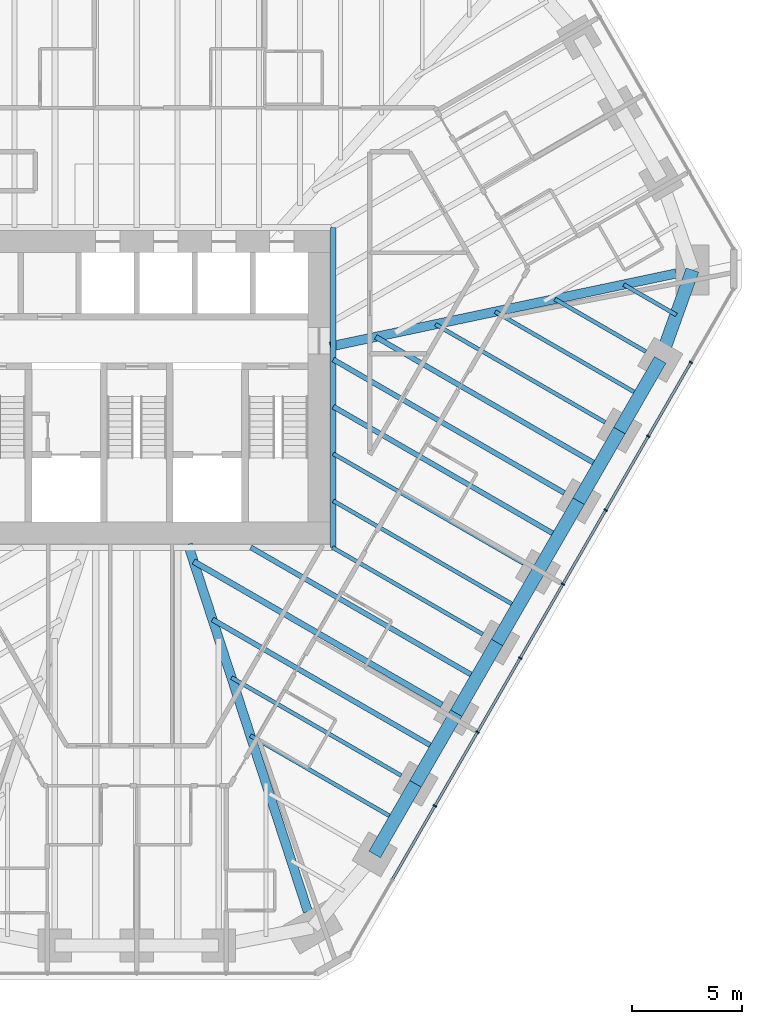
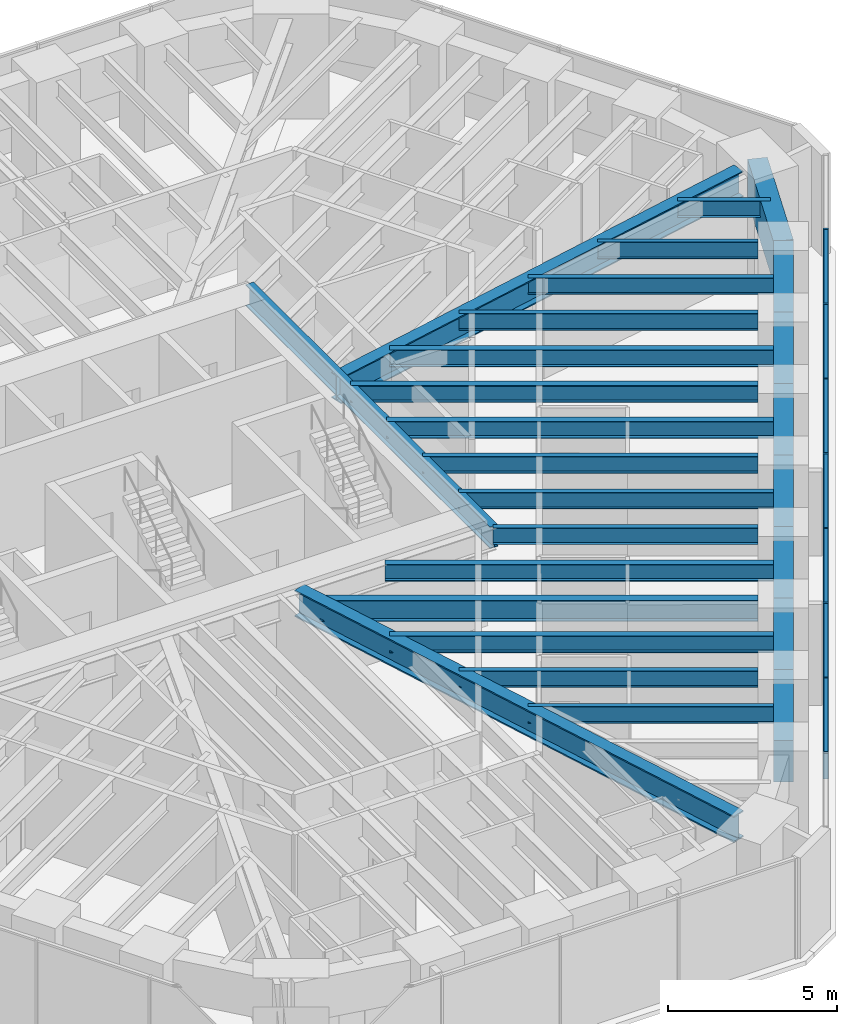
# One storey, part 5 of 17: 26 beams, 14 members, 1 element without a shape of its own.
"""IFC4 building model written with IfcOpenShell, lengths in metres."""

from ifc_helpers import new_model, si_unit, direction, frame, origin, origin_2d, place, context, subcontext, project, spatial, rectangle, i_section, extrude, material, material_profile, profile_set, type_object, element, aggregate, save


model = new_model("IFC4")

# Units and contexts
model_context = context("Model", 3, precision=1e-05, world=origin(), true_north=direction((0.0, 1.0)))
body_context = subcontext(model_context, "Body", "Model", "MODEL_VIEW")
ifc_project = project(units=[si_unit("LENGTHUNIT", "METRE"), si_unit("AREAUNIT", "SQUARE_METRE"), si_unit("VOLUMEUNIT", "CUBIC_METRE"), si_unit("PLANEANGLEUNIT", "RADIAN"), si_unit("MASSUNIT", "GRAM", prefix="KILO")], contexts=[model_context])

# Site, building, storey
site_placement = place(None, origin())
site = spatial("IfcSite", under=ifc_project, at=site_placement, CompositionType="ELEMENT")
building_placement = place(site_placement, origin())
building = spatial("IfcBuilding", under=site, at=building_placement, Name="Sandreach Pilgrim Tower", CompositionType="ELEMENT")
storey_placement = place(building_placement, frame((0.0, 0.0, 198.39990234375)))
storey = spatial("IfcBuildingStorey", under=building, at=storey_placement, Name="L49", CompositionType="ELEMENT", Elevation=198.39990234375)

# Curtain wall, members
ifc_material_1 = material(Name="Aluminium framed curtain wall", Category="aluminium")
curtain_wall_type = type_object("IfcCurtainWallType", Name="Upper hotel tower curtain wall", PredefinedType="NOTDEFINED", material=ifc_material_1)
curtain_wall_placement = place(storey_placement, origin())
curtain_wall = element("IfcCurtainWall", 1, at=curtain_wall_placement, inside=storey, type_object=curtain_wall_type, Name="CW-3 L49 SE", PredefinedType="NOTDEFINED")
ifc_material_2 = material(Name="Aluminium extrusion", Category="aluminium")
ifc_material_profile_1 = material_profile(ifc_material_2, rectangle(XDim=0.06494140625, YDim=0.159912109375, at=origin_2d()), Name="CW-3M 65X160")
ifc_profile_set_1 = profile_set([ifc_material_profile_1], Name="Aluminium extrusion")
member_type_1 = type_object("IfcMemberType", Name="CW-3 mullion", PredefinedType="MULLION", material=ifc_profile_set_1)
member_1_placement = place(storey_placement, frame((25.087890625, 1.13330078125, 0.0), z_axis=(0.0, 0.0, 1.0), x_axis=(-0.5, -0.866025403784, 0.0)))
member_1 = element("IfcMember", 2, at=member_1_placement, type_object=member_type_1, Name="CW-3 mullion 2", PredefinedType="MULLION", context=body_context, shape_type="SweptSolid", body=[
    extrude(rectangle(XDim=0.06494140625, YDim=0.159912109375, at=origin_2d()), origin(), (0.0, 0.0, 1.0), 3.64013671875),
])
member_2_placement = place(storey_placement, frame((23.15576171875, -2.21337890625, 0.0), z_axis=(0.0, 0.0, 1.0), x_axis=(-0.5, -0.866025403784, 0.0)))
member_2 = element("IfcMember", 3, at=member_2_placement, type_object=member_type_1, Name="CW-3 mullion 3", PredefinedType="MULLION", context=body_context, shape_type="SweptSolid", body=[
    extrude(rectangle(XDim=0.06494140625, YDim=0.159912109375, at=origin_2d()), origin(), (0.0, 0.0, 1.0), 3.64013671875),
])
member_3_placement = place(storey_placement, frame((21.223388671875, -5.56005859375, 0.0), z_axis=(0.0, 0.0, 1.0), x_axis=(-0.5, -0.866025403784, 0.0)))
member_3 = element("IfcMember", 4, at=member_3_placement, type_object=member_type_1, Name="CW-3 mullion 4", PredefinedType="MULLION", context=body_context, shape_type="SweptSolid", body=[
    extrude(rectangle(XDim=0.06494140625, YDim=0.159912109375, at=origin_2d()), origin(), (0.0, 0.0, 1.0), 3.64013671875),
])
member_4_placement = place(storey_placement, frame((19.291259765625, -8.90673828125, 0.0), z_axis=(0.0, 0.0, 1.0), x_axis=(-0.5, -0.866025403784, 0.0)))
member_4 = element("IfcMember", 5, at=member_4_placement, type_object=member_type_1, Name="CW-3 mullion 5", PredefinedType="MULLION", context=body_context, shape_type="SweptSolid", body=[
    extrude(rectangle(XDim=0.06494140625, YDim=0.159912109375, at=origin_2d()), origin(), (0.0, 0.0, 1.0), 3.64013671875),
])
member_5_placement = place(storey_placement, frame((17.359130859375, -12.25341796875, 0.0), z_axis=(0.0, 0.0, 1.0), x_axis=(-0.5, -0.866025403784, 0.0)))
member_5 = element("IfcMember", 6, at=member_5_placement, type_object=member_type_1, Name="CW-3 mullion 6", PredefinedType="MULLION", context=body_context, shape_type="SweptSolid", body=[
    extrude(rectangle(XDim=0.06494140625, YDim=0.159912109375, at=origin_2d()), origin(), (0.0, 0.0, 1.0), 3.64013671875),
])
member_6_placement = place(storey_placement, frame((15.4267578125, -15.60009765625, 0.0), z_axis=(0.0, 0.0, 1.0), x_axis=(-0.5, -0.866025403784, 0.0)))
member_6 = element("IfcMember", 7, at=member_6_placement, type_object=member_type_1, Name="CW-3 mullion 7", PredefinedType="MULLION", context=body_context, shape_type="SweptSolid", body=[
    extrude(rectangle(XDim=0.06494140625, YDim=0.159912109375, at=origin_2d()), origin(), (0.0, 0.0, 1.0), 3.64013671875),
])
member_7_placement = place(storey_placement, frame((13.49462890625, -18.94677734375, 0.0), z_axis=(0.0, 0.0, 1.0), x_axis=(-0.5, -0.866025403784, 0.0)))
member_7 = element("IfcMember", 8, at=member_7_placement, type_object=member_type_1, Name="CW-3 mullion 8", PredefinedType="MULLION", context=body_context, shape_type="SweptSolid", body=[
    extrude(rectangle(XDim=0.06494140625, YDim=0.159912109375, at=origin_2d()), origin(), (0.0, 0.0, 1.0), 3.64013671875),
])
ifc_material_3 = material(Name="Aluminium extrusion", Category="aluminium")
ifc_material_profile_2 = material_profile(ifc_material_3, rectangle(XDim=0.1201171875, YDim=0.070068359375, at=origin_2d()), Name="CW-3T 120X70")
ifc_profile_set_2 = profile_set([ifc_material_profile_2], Name="Aluminium extrusion")
member_type_2 = type_object("IfcMemberType", Name="CW-3 transom", PredefinedType="USERDEFINED", material=ifc_profile_set_2)
member_8_placement = place(storey_placement, frame((25.07177734375, 1.105224609375, 3.60498046875), z_axis=(-0.500022797313, -0.86601224135, 0.0), x_axis=(0.86601224135, -0.500022797313, 0.0)))
member_8 = element("IfcMember", 9, at=member_8_placement, type_object=member_type_2, Name="CW-3 head transom 2", ObjectType="TRANSOM", PredefinedType="USERDEFINED", context=body_context, shape_type="SweptSolid", body=[
    extrude(rectangle(XDim=0.1201171875, YDim=0.070068359375, at=origin_2d()), origin(), (0.0, 0.0, 1.0), 3.799560546875),
])
member_9_placement = place(storey_placement, frame((23.139404296875, -2.241455078125, 3.60498046875), z_axis=(-0.499974606132, -0.866040064445, 0.0), x_axis=(0.866040064445, -0.499974606132, 0.0)))
member_9 = element("IfcMember", 10, at=member_9_placement, type_object=member_type_2, Name="CW-3 head transom 3", ObjectType="TRANSOM", PredefinedType="USERDEFINED", context=body_context, shape_type="SweptSolid", body=[
    extrude(rectangle(XDim=0.1201171875, YDim=0.070068359375, at=origin_2d()), origin(), (0.0, 0.0, 1.0), 3.799560546875),
])
member_10_placement = place(storey_placement, frame((21.207275390625, -5.588134765625, 3.60498046875), z_axis=(-0.499974606132, -0.866040064445, 0.0), x_axis=(0.866040064445, -0.499974606132, 0.0)))
member_10 = element("IfcMember", 11, at=member_10_placement, type_object=member_type_2, Name="CW-3 head transom 4", ObjectType="TRANSOM", PredefinedType="USERDEFINED", context=body_context, shape_type="SweptSolid", body=[
    extrude(rectangle(XDim=0.1201171875, YDim=0.070068359375, at=origin_2d()), origin(), (0.0, 0.0, 1.0), 3.799560546875),
])
member_11_placement = place(storey_placement, frame((19.275146484375, -8.934814453125, 3.60498046875), z_axis=(-0.500022797313, -0.86601224135, 0.0), x_axis=(0.86601224135, -0.500022797313, 0.0)))
member_11 = element("IfcMember", 12, at=member_11_placement, type_object=member_type_2, Name="CW-3 head transom 5", ObjectType="TRANSOM", PredefinedType="USERDEFINED", context=body_context, shape_type="SweptSolid", body=[
    extrude(rectangle(XDim=0.1201171875, YDim=0.070068359375, at=origin_2d()), origin(), (0.0, 0.0, 1.0), 3.799560546875),
])
member_12_placement = place(storey_placement, frame((17.3427734375, -12.281494140625, 3.60498046875), z_axis=(-0.499974606132, -0.866040064445, 0.0), x_axis=(0.866040064445, -0.499974606132, 0.0)))
member_12 = element("IfcMember", 13, at=member_12_placement, type_object=member_type_2, Name="CW-3 head transom 6", ObjectType="TRANSOM", PredefinedType="USERDEFINED", context=body_context, shape_type="SweptSolid", body=[
    extrude(rectangle(XDim=0.1201171875, YDim=0.070068359375, at=origin_2d()), origin(), (0.0, 0.0, 1.0), 3.799560546875),
])
member_13_placement = place(storey_placement, frame((15.41064453125, -15.628173828125, 3.60498046875), z_axis=(-0.499974606132, -0.866040064445, 0.0), x_axis=(0.866040064445, -0.499974606132, 0.0)))
member_13 = element("IfcMember", 14, at=member_13_placement, type_object=member_type_2, Name="CW-3 head transom 7", ObjectType="TRANSOM", PredefinedType="USERDEFINED", context=body_context, shape_type="SweptSolid", body=[
    extrude(rectangle(XDim=0.1201171875, YDim=0.070068359375, at=origin_2d()), origin(), (0.0, 0.0, 1.0), 3.799560546875),
])
member_14_placement = place(storey_placement, frame((13.478515625, -18.974853515625, 3.60498046875), z_axis=(-0.500022797313, -0.86601224135, 0.0), x_axis=(0.86601224135, -0.500022797313, 0.0)))
member_14 = element("IfcMember", 15, at=member_14_placement, type_object=member_type_2, Name="CW-3 head transom 8", ObjectType="TRANSOM", PredefinedType="USERDEFINED", context=body_context, shape_type="SweptSolid", body=[
    extrude(rectangle(XDim=0.1201171875, YDim=0.070068359375, at=origin_2d()), origin(), (0.0, 0.0, 1.0), 3.799560546875),
])
aggregate(curtain_wall, [member_1, member_2, member_3, member_4, member_5, member_6, member_7, member_8, member_9, member_10, member_11, member_12, member_13, member_14])

# Beams
ifc_material_4 = material(Name="Steel ASTM A992 Grade 50", Category="steel")
ifc_material_profile_3 = material_profile(ifc_material_4, i_section(OverallWidth=0.2666015625, OverallDepth=0.77978515625, WebThickness=0.0166015625, FlangeThickness=0.030029296875, at=origin_2d()), Name="W30X148")
ifc_profile_set_3 = profile_set([ifc_material_profile_3], Name="Steel ASTM A992 Grade 50")
beam_type_1 = type_object("IfcBeamType", Name="Core edge beam W30X148", PredefinedType="BEAM", material=ifc_profile_set_3)
beam_1_placement = place(storey_placement, frame((8.893310546875, 7.243408203125, 3.250244140625), z_axis=(0.0, -1.0, 0.0), x_axis=(1.0, 0.0, 0.0)))
element("IfcBeam", 16, at=beam_1_placement, inside=storey, type_object=beam_type_1, Name="BM L49 CEE", PredefinedType="BEAM", context=body_context, shape_type="SweptSolid", body=[
    extrude(i_section(OverallWidth=0.2666015625, OverallDepth=0.77978515625, WebThickness=0.0166015625, FlangeThickness=0.030029296875, at=origin_2d()), origin(), (0.0, 0.0, 1.0), 14.48681640625),
])
ifc_material_5 = material(Name="Steel ASTM A992 Grade 50", Category="steel")
ifc_material_profile_4 = material_profile(ifc_material_5, i_section(OverallWidth=0.421630859375, OverallDepth=0.937255859375, WebThickness=0.0224609375, FlangeThickness=0.039794921875, at=origin_2d()), Name="W36X282")
ifc_profile_set_4 = profile_set([ifc_material_profile_4], Name="Steel ASTM A992 Grade 50")
beam_type_2 = type_object("IfcBeamType", Name="Corner girder W36X282", PredefinedType="BEAM", material=ifc_profile_set_4)
beam_2_placement = place(storey_placement, frame((24.422607421875, 5.156494140625, 3.17138671875), z_axis=(-0.978428978804, -0.206583478132, 0.0), x_axis=(0.206583478132, -0.978428978804, 0.0)))
element("IfcBeam", 17, at=beam_2_placement, inside=storey, type_object=beam_type_2, Name="BM L49 CG13", PredefinedType="BEAM", context=body_context, shape_type="SweptSolid", body=[
    extrude(i_section(OverallWidth=0.421630859375, OverallDepth=0.937255859375, WebThickness=0.0224609375, FlangeThickness=0.039794921875, at=origin_2d()), origin(), (0.0, 0.0, 1.0), 16.01806640625),
])
ifc_material_6 = material(Name="Steel ASTM A992 Grade 50", Category="steel")
ifc_material_profile_5 = material_profile(ifc_material_6, i_section(OverallWidth=0.421630859375, OverallDepth=0.95751953125, WebThickness=0.02587890625, FlangeThickness=0.046875, at=origin_2d()), Name="W36X330")
ifc_profile_set_5 = profile_set([ifc_material_profile_5], Name="Steel ASTM A992 Grade 50")
beam_type_3 = type_object("IfcBeamType", Name="Corner girder W36X330", PredefinedType="BEAM", material=ifc_profile_set_5)
beam_3_placement = place(storey_placement, frame((7.745849609375, -23.72900390625, 3.161376953125), z_axis=(-0.310317870968, 0.950632851819, 0.0), x_axis=(-0.950632851819, -0.310317870968, 0.0)))
element("IfcBeam", 18, at=beam_3_placement, inside=storey, type_object=beam_type_3, Name="BM L49 CG22", PredefinedType="BEAM", context=body_context, shape_type="SweptSolid", body=[
    extrude(i_section(OverallWidth=0.421630859375, OverallDepth=0.95751953125, WebThickness=0.02587890625, FlangeThickness=0.046875, at=origin_2d()), origin(), (0.0, 0.0, 1.0), 17.492431640625),
])
ifc_material_7 = material(Name="Steel ASTM A992 Grade 50", Category="steel")
ifc_material_profile_6 = material_profile(ifc_material_7, i_section(OverallWidth=0.1787109375, OverallDepth=0.60205078125, WebThickness=0.010986328125, FlangeThickness=0.014892578125, at=origin_2d()), Name="W24X62")
ifc_profile_set_6 = profile_set([ifc_material_profile_6], Name="Steel ASTM A992 Grade 50")
beam_type_4 = type_object("IfcBeamType", Name="Floor beam W24X62", PredefinedType="BEAM", material=ifc_profile_set_6)
beam_4_placement = place(storey_placement, frame((23.04638671875, 1.6171875, 3.339111328125), z_axis=(-0.86603347311, 0.499986023258, 0.0), x_axis=(-0.499986023258, -0.86603347311, 0.0)))
element("IfcBeam", 19, at=beam_4_placement, inside=storey, type_object=beam_type_4, Name="BM L49 F14", PredefinedType="BEAM", context=body_context, shape_type="SweptSolid", body=[
    extrude(i_section(OverallWidth=0.1787109375, OverallDepth=0.60205078125, WebThickness=0.010986328125, FlangeThickness=0.014892578125, at=origin_2d()), origin(), (0.0, 0.0, 1.0), 4.757568359375),
])
beam_5_placement = place(storey_placement, frame((21.2001953125, -1.58056640625, 3.339111328125), z_axis=(-0.866027448082, 0.499996459156, 0.0), x_axis=(-0.499996459156, -0.866027448082, 0.0)))
element("IfcBeam", 20, at=beam_5_placement, inside=storey, type_object=beam_type_4, Name="BM L49 F15", PredefinedType="BEAM", context=body_context, shape_type="SweptSolid", body=[
    extrude(i_section(OverallWidth=0.1787109375, OverallDepth=0.60205078125, WebThickness=0.010986328125, FlangeThickness=0.014892578125, at=origin_2d()), origin(), (0.0, 0.0, 1.0), 8.86962890625),
])
beam_6_placement = place(storey_placement, frame((17.507568359375, -7.97607421875, 3.339111328125), z_axis=(-0.866027815265, 0.499995823171, 0.0), x_axis=(-0.499995823171, -0.866027815265, 0.0)))
element("IfcBeam", 21, at=beam_6_placement, inside=storey, type_object=beam_type_4, Name="BM L49 F17", PredefinedType="BEAM", context=body_context, shape_type="SweptSolid", body=[
    extrude(i_section(OverallWidth=0.1787109375, OverallDepth=0.60205078125, WebThickness=0.010986328125, FlangeThickness=0.014892578125, at=origin_2d()), origin(), (0.0, 0.0, 1.0), 9.94677734375),
])
beam_7_placement = place(storey_placement, frame((15.661376953125, -11.173828125, 3.339111328125), z_axis=(-0.866038711524, 0.49997694961, 0.0), x_axis=(-0.49997694961, -0.866038711524, 0.0)))
element("IfcBeam", 22, at=beam_7_placement, inside=storey, type_object=beam_type_4, Name="BM L49 F18", PredefinedType="BEAM", context=body_context, shape_type="SweptSolid", body=[
    extrude(i_section(OverallWidth=0.1787109375, OverallDepth=0.60205078125, WebThickness=0.010986328125, FlangeThickness=0.014892578125, at=origin_2d()), origin(), (0.0, 0.0, 1.0), 7.861083984375),
])
beam_8_placement = place(storey_placement, frame((11.96875, -17.569580078125, 3.339111328125), z_axis=(-0.866020566617, 0.500008378126, 0.0), x_axis=(-0.500008378126, -0.866020566617, 0.0)))
element("IfcBeam", 23, at=beam_8_placement, inside=storey, type_object=beam_type_4, Name="BM L49 F20", PredefinedType="BEAM", context=body_context, shape_type="SweptSolid", body=[
    extrude(i_section(OverallWidth=0.1787109375, OverallDepth=0.60205078125, WebThickness=0.010986328125, FlangeThickness=0.014892578125, at=origin_2d()), origin(), (0.0, 0.0, 1.0), 8.869384765625),
])
beam_9_placement = place(storey_placement, frame((24.42626953125, 3.27685546875, 3.339111328125), z_axis=(-0.866046803606, 0.49996293259, 0.0), x_axis=(-0.49996293259, -0.866046803606, 0.0)))
element("IfcBeam", 24, at=beam_9_placement, inside=storey, type_object=beam_type_4, Name="BM L49 FM13", PredefinedType="BEAM", context=body_context, shape_type="SweptSolid", body=[
    extrude(i_section(OverallWidth=0.1787109375, OverallDepth=0.60205078125, WebThickness=0.010986328125, FlangeThickness=0.014892578125, at=origin_2d()), origin(), (0.0, 0.0, 1.0), 2.753662109375),
])
beam_10_placement = place(storey_placement, frame((22.772705078125, -0.356689453125, 3.339111328125), z_axis=(-0.866029704776, 0.49999255039, 0.0), x_axis=(-0.49999255039, -0.866029704776, 0.0)))
element("IfcBeam", 25, at=beam_10_placement, inside=storey, type_object=beam_type_4, Name="BM L49 FM14", PredefinedType="BEAM", context=body_context, shape_type="SweptSolid", body=[
    extrude(i_section(OverallWidth=0.1787109375, OverallDepth=0.60205078125, WebThickness=0.010986328125, FlangeThickness=0.014892578125, at=origin_2d()), origin(), (0.0, 0.0, 1.0), 7.5634765625),
])
beam_11_placement = place(storey_placement, frame((17.23388671875, -9.949951171875, 3.339111328125), z_axis=(-0.866025593094, 0.499999672107, 0.0), x_axis=(-0.499999672107, -0.866025593094, 0.0)))
element("IfcBeam", 26, at=beam_11_placement, inside=storey, type_object=beam_type_4, Name="BM L49 FM17", PredefinedType="BEAM", context=body_context, shape_type="SweptSolid", body=[
    extrude(i_section(OverallWidth=0.1787109375, OverallDepth=0.60205078125, WebThickness=0.010986328125, FlangeThickness=0.014892578125, at=origin_2d()), origin(), (0.0, 0.0, 1.0), 9.630859375),
])
beam_12_placement = place(storey_placement, frame((11.6953125, -19.54345703125, 3.339111328125), z_axis=(-0.866029704776, 0.49999255039, 0.0), x_axis=(-0.49999255039, -0.866029704776, 0.0)))
element("IfcBeam", 27, at=beam_12_placement, inside=storey, type_object=beam_type_4, Name="BM L49 FM20", PredefinedType="BEAM", context=body_context, shape_type="SweptSolid", body=[
    extrude(i_section(OverallWidth=0.1787109375, OverallDepth=0.60205078125, WebThickness=0.010986328125, FlangeThickness=0.014892578125, at=origin_2d()), origin(), (0.0, 0.0, 1.0), 7.5634765625),
])
ifc_material_8 = material(Name="Steel ASTM A992 Grade 50", Category="steel")
ifc_material_profile_7 = material_profile(ifc_material_8, i_section(OverallWidth=0.23046875, OverallDepth=0.6171875, WebThickness=0.01318359375, FlangeThickness=0.022216796875, at=origin_2d()), Name="W24X94")
ifc_profile_set_7 = profile_set([ifc_material_profile_7], Name="Steel ASTM A992 Grade 50")
beam_type_5 = type_object("IfcBeamType", Name="Floor beam W24X94", PredefinedType="BEAM", material=ifc_profile_set_7)
beam_13_placement = place(storey_placement, frame((19.353759765625, -4.7783203125, 3.33154296875), z_axis=(-0.866026713419, 0.49999773164, 0.0), x_axis=(-0.49999773164, -0.866026713419, 0.0)))
element("IfcBeam", 28, at=beam_13_placement, inside=storey, type_object=beam_type_5, Name="BM L49 F16", PredefinedType="BEAM", context=body_context, shape_type="SweptSolid", body=[
    extrude(i_section(OverallWidth=0.23046875, OverallDepth=0.6171875, WebThickness=0.01318359375, FlangeThickness=0.022216796875, at=origin_2d()), origin(), (0.0, 0.0, 1.0), 12.07861328125),
])
beam_14_placement = place(storey_placement, frame((20.926513671875, -3.554443359375, 3.33154296875), z_axis=(-0.866026454974, 0.499998179282, 0.0), x_axis=(-0.499998179282, -0.866026454974, 0.0)))
element("IfcBeam", 29, at=beam_14_placement, inside=storey, type_object=beam_type_5, Name="BM L49 FM15", PredefinedType="BEAM", context=body_context, shape_type="SweptSolid", body=[
    extrude(i_section(OverallWidth=0.23046875, OverallDepth=0.6171875, WebThickness=0.01318359375, FlangeThickness=0.022216796875, at=origin_2d()), origin(), (0.0, 0.0, 1.0), 11.67578125),
])
beam_15_placement = place(storey_placement, frame((19.080322265625, -6.752197265625, 3.33154296875), z_axis=(-0.866030053141, 0.499991946992, 0.0), x_axis=(-0.499991946992, -0.866030053141, 0.0)))
element("IfcBeam", 30, at=beam_15_placement, inside=storey, type_object=beam_type_5, Name="BM L49 FM16", PredefinedType="BEAM", context=body_context, shape_type="SweptSolid", body=[
    extrude(i_section(OverallWidth=0.23046875, OverallDepth=0.6171875, WebThickness=0.01318359375, FlangeThickness=0.022216796875, at=origin_2d()), origin(), (0.0, 0.0, 1.0), 11.762939453125),
])
beam_16_placement = place(storey_placement, frame((15.3876953125, -13.14794921875, 3.33154296875), z_axis=(-0.866022050506, 0.500005808004, 0.0), x_axis=(-0.500005808004, -0.866022050506, 0.0)))
element("IfcBeam", 31, at=beam_16_placement, inside=storey, type_object=beam_type_5, Name="BM L49 FM18", PredefinedType="BEAM", context=body_context, shape_type="SweptSolid", body=[
    extrude(i_section(OverallWidth=0.23046875, OverallDepth=0.6171875, WebThickness=0.01318359375, FlangeThickness=0.022216796875, at=origin_2d()), origin(), (0.0, 0.0, 1.0), 11.808837890625),
])
beam_17_placement = place(storey_placement, frame((13.54150390625, -16.345703125, 3.33154296875), z_axis=(-0.866026454974, 0.499998179282, 0.0), x_axis=(-0.499998179282, -0.866026454974, 0.0)))
element("IfcBeam", 32, at=beam_17_placement, inside=storey, type_object=beam_type_5, Name="BM L49 FM19", PredefinedType="BEAM", context=body_context, shape_type="SweptSolid", body=[
    extrude(i_section(OverallWidth=0.23046875, OverallDepth=0.6171875, WebThickness=0.01318359375, FlangeThickness=0.022216796875, at=origin_2d()), origin(), (0.0, 0.0, 1.0), 11.67578125),
])
ifc_material_9 = material(Name="Steel ASTM A992 Grade 50", Category="steel")
ifc_material_profile_8 = material_profile(ifc_material_9, i_section(OverallWidth=0.2666015625, OverallDepth=0.761962890625, WebThickness=0.014404296875, FlangeThickness=0.021484375, at=origin_2d()), Name="W30X116")
ifc_profile_set_8 = profile_set([ifc_material_profile_8], Name="Steel ASTM A992 Grade 50")
beam_type_6 = type_object("IfcBeamType", Name="Floor beam W30X116", PredefinedType="BEAM", material=ifc_profile_set_8)
beam_18_placement = place(storey_placement, frame((13.815185546875, -14.371826171875, 3.259033203125), z_axis=(-0.866025240073, 0.500000283557, 0.0), x_axis=(-0.500000283557, -0.866025240073, 0.0)))
element("IfcBeam", 33, at=beam_18_placement, inside=storey, type_object=beam_type_6, Name="BM L49 F19", PredefinedType="BEAM", context=body_context, shape_type="SweptSolid", body=[
    extrude(i_section(OverallWidth=0.2666015625, OverallDepth=0.761962890625, WebThickness=0.014404296875, FlangeThickness=0.021484375, at=origin_2d()), origin(), (0.0, 0.0, 1.0), 12.98193359375),
])
ifc_material_10 = material(Name="Concrete 10000 psi", Category="concrete")
ifc_material_profile_9 = material_profile(ifc_material_10, rectangle(XDim=0.60009765625, YDim=1.5, at=origin_2d()), Name="RC600X1500")
ifc_profile_set_9 = profile_set([ifc_material_profile_9], Name="Concrete 10000 psi")
beam_type_7 = type_object("IfcBeamType", Name="Spandrel beam RC600X1500", PredefinedType="SPANDREL", material=ifc_profile_set_9)
beam_19_placement = place(storey_placement, frame((25.156494140625, 5.311279296875, 2.89013671875), z_axis=(-0.337863470932, -0.941195131208, 0.0), x_axis=(0.941195131208, -0.337863470932, 0.0)))
element("IfcBeam", 34, at=beam_19_placement, inside=storey, type_object=beam_type_7, Name="BM L49 SP13", PredefinedType="SPANDREL", context=body_context, shape_type="SweptSolid", body=[
    extrude(rectangle(XDim=0.60009765625, YDim=1.5, at=origin_2d()), origin(), (0.0, 0.0, 1.0), 4.3232421875),
])
for number, where, z_axis, x_axis, name in (
    (35, (23.69580078125, 1.2421875, 2.89013671875), (-0.499993363642, -0.866029235253, 0.0), (0.866029235253, -0.499993363642, 0.0), "BM L49 SP14"),
    (36, (21.849609375, -1.95556640625, 2.89013671875), (-0.499993363642, -0.866029235253, 0.0), (0.866029235253, -0.499993363642, 0.0), "BM L49 SP15"),
    (37, (20.00341796875, -5.1533203125, 2.89013671875), (-0.499993363642, -0.866029235253, 0.0), (0.866029235253, -0.499993363642, 0.0), "BM L49 SP16"),
):
    element("IfcBeam", number, at=place(storey_placement, frame(where, z_axis=z_axis, x_axis=x_axis)), inside=storey, type_object=beam_type_7, Name=name, PredefinedType="SPANDREL", context=body_context, shape_type="SweptSolid", body=[
        extrude(rectangle(XDim=0.60009765625, YDim=1.5, at=origin_2d()), origin(), (0.0, 0.0, 1.0), 3.6923828125),
    ])
for number, where, z_axis, x_axis, name in (
    (38, (18.1572265625, -8.35107421875, 2.89013671875), (-0.500042951019, -0.866000604582, 0.0), (0.866000604582, -0.500042951019, 0.0), "BM L49 SP17"),
    (39, (16.310791015625, -11.548828125, 2.89013671875), (-0.49996473481, -0.866045763194, 0.0), (0.866045763194, -0.49996473481, 0.0), "BM L49 SP18"),
):
    element("IfcBeam", number, at=place(storey_placement, frame(where, z_axis=z_axis, x_axis=x_axis)), inside=storey, type_object=beam_type_7, Name=name, PredefinedType="SPANDREL", context=body_context, shape_type="SweptSolid", body=[
        extrude(rectangle(XDim=0.60009765625, YDim=1.5, at=origin_2d()), origin(), (0.0, 0.0, 1.0), 3.692626953125),
    ])
for number, where, z_axis, x_axis, name in (
    (40, (14.464599609375, -14.746826171875, 2.89013671875), (-0.499993363642, -0.866029235253, 0.0), (0.866029235253, -0.499993363642, 0.0), "BM L49 SP19"),
    (41, (12.618408203125, -17.944580078125, 2.89013671875), (-0.499993363642, -0.866029235253, 0.0), (0.866029235253, -0.499993363642, 0.0), "BM L49 SP20"),
):
    element("IfcBeam", number, at=place(storey_placement, frame(where, z_axis=z_axis, x_axis=x_axis)), inside=storey, type_object=beam_type_7, Name=name, PredefinedType="SPANDREL", context=body_context, shape_type="SweptSolid", body=[
        extrude(rectangle(XDim=0.60009765625, YDim=1.5, at=origin_2d()), origin(), (0.0, 0.0, 1.0), 3.6923828125),
    ])

save(model, "model.ifc")
